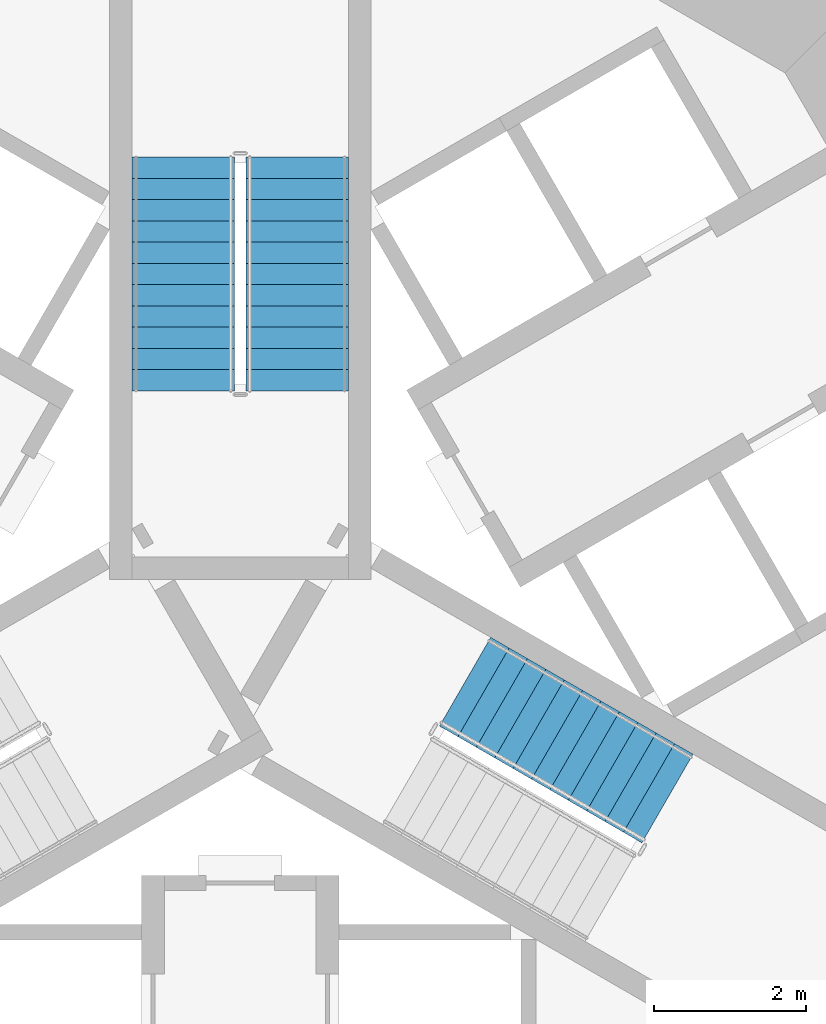
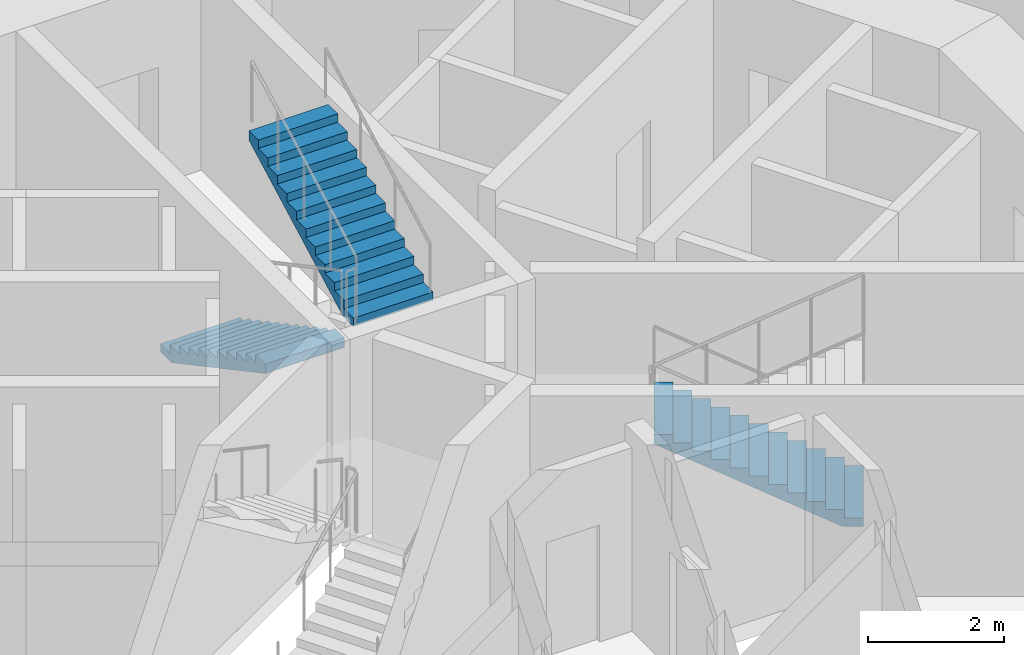
# One storey, part 11 of 19: 3 stair flights, 2 elements without a shape of their own.
"""IFC4 building model written with IfcOpenShell, lengths in metres."""

import ifcopenshell
import ifcopenshell.guid

model = None  # the IFC model being written
_history = None  # IfcOwnerHistory: only IFC2X3 demands one
_inside = {}  # id of a spatial element -> (the spatial element, [elements in it])
_under = {}  # id of a project, library or spatial element -> (it, [spatial elements below it])
_declared = {}  # id of a project -> (the project, [libraries it declares])
_typed = {}  # id of a type object -> (the type object, [elements of that type])
_made_of = {}  # id of a material, layer set ... -> (it, [elements and type objects made of it])


def new_model(schema):
    """Start an empty IFC model of exactly this schema.

    Asked for "IFC4X3", IfcOpenShell would pick the latest addendum, in which some entities
    have other attributes; the version numbers below select the first issue.
    IFC2X3 requires an IfcOwnerHistory on every rooted entity: one is made here for all.
    """
    global model, _history
    if schema == "IFC4X3":
        model = ifcopenshell.file(schema_version=(4, 3, 0, 0))
    else:
        model = ifcopenshell.file(schema=schema)
    _inside.clear()
    _under.clear()
    _declared.clear()
    _typed.clear()
    _made_of.clear()
    _history = None
    if model.schema == "IFC2X3":
        org = make("IfcOrganization", Name="unknown")
        user = make(
            "IfcPersonAndOrganization",
            ThePerson=make("IfcPerson", FamilyName="unknown"),
            TheOrganization=org,
        )
        app = make(
            "IfcApplication",
            ApplicationDeveloper=org,
            Version="unknown",
            ApplicationFullName="unknown",
            ApplicationIdentifier="unknown",
        )
        _history = make(
            "IfcOwnerHistory",
            OwningUser=user,
            OwningApplication=app,
            ChangeAction="ADDED",
            CreationDate=0,
        )
    return model


def make(cls, **values):
    """One entity of the class cls with the attributes given. An attribute that is None is left unset."""
    return model.create_entity(
        cls, **{name: value for name, value in values.items() if value is not None}
    )


def rooted(cls, **values):
    """An entity with a GlobalId (a new one), such as an element, a storey or a relation."""
    return make(cls, GlobalId=ifcopenshell.guid.new(), OwnerHistory=_history, **values)


def si_unit(unit_type, name, prefix=None):
    """IfcSIUnit, for example si_unit("LENGTHUNIT", "METRE", prefix="MILLI")."""
    return make("IfcSIUnit", UnitType=unit_type, Prefix=prefix, Name=name)


def assignment(units):
    """IfcUnitAssignment: the units of a project."""
    return None if units is None else make("IfcUnitAssignment", Units=units)


def point(xyz):
    """IfcCartesianPoint."""
    return None if xyz is None else make("IfcCartesianPoint", Coordinates=xyz)


def direction(xyz):
    """IfcDirection."""
    return None if xyz is None else make("IfcDirection", DirectionRatios=xyz)


def frame(location, z_axis=None, x_axis=None):
    """IfcAxis2Placement3D, a coordinate frame: its origin and axes. An axis left out is left unset."""
    return make(
        "IfcAxis2Placement3D",
        Location=point(location),
        Axis=direction(z_axis),
        RefDirection=direction(x_axis),
    )


def origin():
    """The frame at (0, 0, 0) with its axes left unset."""
    return frame((0.0, 0.0, 0.0))


def place(relative_to, where):
    """IfcLocalPlacement: puts the frame where relative to a parent placement (None: the world)."""
    return make(
        "IfcLocalPlacement", PlacementRelTo=relative_to, RelativePlacement=where
    )


def context(
    kind, dimensions, precision=None, world=None, true_north=None, identifier=None
):
    """IfcGeometricRepresentationContext, for example the 3D "Model" context."""
    return make(
        "IfcGeometricRepresentationContext",
        ContextIdentifier=identifier,
        ContextType=kind,
        CoordinateSpaceDimension=dimensions,
        Precision=precision,
        WorldCoordinateSystem=world,
        TrueNorth=true_north,
    )


def subcontext(parent, identifier, kind, view, scale=None):
    """IfcGeometricRepresentationSubContext, for example "Body" below "Model"."""
    return make(
        "IfcGeometricRepresentationSubContext",
        ContextIdentifier=identifier,
        ContextType=kind,
        ParentContext=parent,
        TargetScale=scale,
        TargetView=view,
    )


def project(units=None, contexts=None):
    """IfcProject with its units and contexts."""
    return rooted(
        "IfcProject",
        Name="project",
        RepresentationContexts=contexts,
        UnitsInContext=assignment(units),
    )


def spatial(cls, under=None, at=None, **own):
    """A site, building, storey or space (cls), placed at a placement, below another one or the project."""
    s = rooted(cls, ObjectPlacement=at, **own)
    if under is not None:
        _under.setdefault(under.id(), (under, []))[1].append(s)
    return s


def polyline(points):
    """IfcPolyline through the points."""
    return make("IfcPolyline", Points=[point(p) for p in points])


def outline(outer, holes=None, kind="AREA"):
    """IfcArbitraryClosedProfileDef: a profile drawn as a closed curve; with holes, ...WithVoids."""
    if holes is None:
        return make("IfcArbitraryClosedProfileDef", ProfileType=kind, OuterCurve=outer)
    return make(
        "IfcArbitraryProfileDefWithVoids",
        ProfileType=kind,
        OuterCurve=outer,
        InnerCurves=holes,
    )


def extrude(swept, where, along, depth):
    """IfcExtrudedAreaSolid: the profile swept, set in the frame where, extruded along a direction by depth."""
    return make(
        "IfcExtrudedAreaSolid",
        SweptArea=swept,
        Position=where,
        ExtrudedDirection=direction(along),
        Depth=depth,
    )


def shape(context_of_items, identifier, shape_type, items):
    """IfcShapeRepresentation: the items that make up one representation, for example the "Body"."""
    return make(
        "IfcShapeRepresentation",
        ContextOfItems=context_of_items,
        RepresentationIdentifier=identifier,
        RepresentationType=shape_type,
        Items=items,
    )


def material(Name=None, Category=None):
    """IfcMaterial."""
    return make("IfcMaterial", Name=Name, Category=Category)


def made_of(thing, what):
    """Note that an element or type object is made of a material, layer set ...; save() writes the relation."""
    if what is not None:
        _made_of.setdefault(what.id(), (what, []))[1].append(thing)
    return thing


def type_object(cls, material=None, **own):
    """A type object (cls), such as IfcWallType, which elements share."""
    return made_of(rooted(cls, **own), material)


def element(
    cls,
    number,
    at=None,
    inside=None,
    cuts=None,
    type_object=None,
    material=None,
    context=None,
    identifier="Body",
    shape_type=None,
    held_by="IfcProductDefinitionShape",
    body=None,
    shapes=None,
    **own,
):
    """One element of the class cls, such as IfcWall. Its Tag is "e" and its number.

    at: its placement. inside: the storey or other place that contains it. cuts: it is an
    opening in that element (IfcRelVoidsElement). A single representation is given by context,
    identifier, shape_type and body (its items); several are given by shapes. held_by: the class
    of the entity that holds the representations. save() writes the other relations.
    """
    e = rooted(cls, Tag="e%d" % number, ObjectPlacement=at, **own)
    if body is not None:
        shapes = [shape(context, identifier, shape_type, body)]
    if shapes is not None:
        e.Representation = make(held_by, Representations=shapes)
    if inside is not None:
        _inside.setdefault(inside.id(), (inside, []))[1].append(e)
    if cuts is not None:
        rooted(
            "IfcRelVoidsElement", RelatingBuildingElement=cuts, RelatedOpeningElement=e
        )
    if type_object is not None:
        _typed.setdefault(type_object.id(), (type_object, []))[1].append(e)
    return made_of(e, material)


def aggregate(whole, parts):
    """IfcRelAggregates: a whole, such as a stair, and the parts it consists of."""
    return rooted("IfcRelAggregates", RelatingObject=whole, RelatedObjects=parts)


def save(model, path):
    """Write the relations noted so far, then the file.

    IfcRelAggregates (storeys below a building ...), IfcRelContainedInSpatialStructure (elements
    in a storey), IfcRelDefinesByType, IfcRelAssociatesMaterial and IfcRelDeclares: one each for
    every whole, place, type object, material and project.
    """
    for whole, parts in _under.values():
        aggregate(whole, parts)
    for where, things in _inside.values():
        rooted(
            "IfcRelContainedInSpatialStructure",
            RelatedElements=things,
            RelatingStructure=where,
        )
    for kind, things in _typed.values():
        rooted("IfcRelDefinesByType", RelatedObjects=things, RelatingType=kind)
    for what, things in _made_of.values():
        rooted("IfcRelAssociatesMaterial", RelatedObjects=things, RelatingMaterial=what)
    for by, libraries in _declared.values():
        rooted("IfcRelDeclares", RelatingContext=by, RelatedDefinitions=libraries)
    model.write(path)


model = new_model("IFC4")

# Units and contexts
model_context = context("Model", 3, precision=1e-05, world=origin(), true_north=direction((0.0, 1.0)))
body_context = subcontext(model_context, "Body", "Model", "MODEL_VIEW")
ifc_project = project(units=[si_unit("LENGTHUNIT", "METRE"), si_unit("AREAUNIT", "SQUARE_METRE"), si_unit("VOLUMEUNIT", "CUBIC_METRE"), si_unit("PLANEANGLEUNIT", "RADIAN"), si_unit("MASSUNIT", "GRAM", prefix="KILO")], contexts=[model_context])

# Site, building, storey
site_placement = place(None, origin())
site = spatial("IfcSite", under=ifc_project, at=site_placement, CompositionType="ELEMENT")
building_placement = place(site_placement, origin())
building = spatial("IfcBuilding", under=site, at=building_placement, Name="Trine Commons Tower", CompositionType="ELEMENT")
storey_placement = place(building_placement, frame((0.0, 0.0, 61.199951171875)))
storey = spatial("IfcBuildingStorey", under=building, at=storey_placement, Name="L14", CompositionType="ELEMENT", Elevation=61.199951171875)

# Stair, stair flights
ifc_material = material(Name="Concrete C50/60", Category="concrete")
stair_type = type_object("IfcStairType", Name="Exit stair, dog-leg, 24 risers of 150 mm", PredefinedType="HALF_TURN_STAIR", material=ifc_material)
stair_1_placement = place(storey_placement, origin())
stair_1 = element("IfcStair", 1, at=stair_1_placement, inside=storey, type_object=stair_type, Name="L14 Exit stair ST1A", PredefinedType="HALF_TURN_STAIR")
stair_flight_type = type_object("IfcStairFlightType", Name="Stair flight, 1350 wide, 12 risers of 150 mm", PredefinedType="STRAIGHT", material=ifc_material)
stair_flight_1_placement = place(storey_placement, frame((79.25, 68.570556640625, 0.0), z_axis=(0.0, 0.0, 1.0), x_axis=(0.0, -1.0, 0.0)))
stair_flight_1 = element("IfcStairFlight", 2, at=stair_flight_1_placement, type_object=stair_flight_type, Name="ST1A flight 1", NumberOfRisers=12, NumberOfTreads=11, PredefinedType="STRAIGHT", RiserHeight=0.15, TreadLength=0.28, context=body_context, shape_type="SweptSolid", body=[
    extrude(outline(polyline([(0.0, 0.0), (0.0, 0.14990234375), (0.280029296875, 0.14990234375), (0.280029296875, 0.300048828125), (0.56005859375, 0.300048828125), (0.56005859375, 0.449951171875), (0.840087890625, 0.449951171875), (0.840087890625, 0.60009765625), (1.1201171875, 0.60009765625), (1.1201171875, 0.75), (1.39990234375, 0.75), (1.39990234375, 0.89990234375), (1.679931640625, 0.89990234375), (1.679931640625, 1.050048828125), (1.9599609375, 1.050048828125), (1.9599609375, 1.199951171875), (2.239990234375, 1.199951171875), (2.239990234375, 1.35009765625), (2.52001953125, 1.35009765625), (2.52001953125, 1.5), (2.800048828125, 1.5), (2.800048828125, 1.64990234375), (3.080078125, 1.64990234375), (3.080078125, 1.800048828125), (3.080078125, 1.47998046875), (0.3173828125, 0.0), (0.0, 0.0)])), frame((0.0, 0.675048828125, 0.0), z_axis=(0.0, -1.0, 0.0), x_axis=(1.0, 0.0, 0.0)), (0.0, 0.0, 1.0), 1.35009765625),
])
stair_flight_2_placement = place(storey_placement, frame((80.75, 65.490478515625, 1.800048828125), z_axis=(0.0, 0.0, 1.0), x_axis=(0.0, 1.0, 0.0)))
stair_flight_2 = element("IfcStairFlight", 3, at=stair_flight_2_placement, type_object=stair_flight_type, Name="ST1A flight 2", NumberOfRisers=12, NumberOfTreads=11, PredefinedType="STRAIGHT", RiserHeight=0.15, TreadLength=0.28, context=body_context, shape_type="SweptSolid", body=[
    extrude(outline(polyline([(0.0, 0.0), (0.0, 0.14990234375), (0.280029296875, 0.14990234375), (0.280029296875, 0.300048828125), (0.56005859375, 0.300048828125), (0.56005859375, 0.449951171875), (0.840087890625, 0.449951171875), (0.840087890625, 0.60009765625), (1.1201171875, 0.60009765625), (1.1201171875, 0.75), (1.39990234375, 0.75), (1.39990234375, 0.89990234375), (1.679931640625, 0.89990234375), (1.679931640625, 1.050048828125), (1.9599609375, 1.050048828125), (1.9599609375, 1.199951171875), (2.239990234375, 1.199951171875), (2.239990234375, 1.35009765625), (2.52001953125, 1.35009765625), (2.52001953125, 1.5), (2.800048828125, 1.5), (2.800048828125, 1.64990234375), (3.080078125, 1.64990234375), (3.080078125, 1.800048828125), (3.080078125, 1.47998046875), (0.3173828125, 0.0), (0.0, 0.0)])), frame((0.0, 0.675048828125, 0.0), z_axis=(0.0, -1.0, 0.0), x_axis=(1.0, 0.0, 0.0)), (0.0, 0.0, 1.0), 1.35009765625),
])
aggregate(stair_1, [stair_flight_1, stair_flight_2])

# Stair, stair flight
stair_2_placement = place(storey_placement, origin())
stair_2 = element("IfcStair", 4, at=stair_2_placement, inside=storey, type_object=stair_type, Name="L14 Exit stair ST3A", PredefinedType="HALF_TURN_STAIR")
stair_flight_3_placement = place(storey_placement, frame((85.63232421875, 60.1142578125, 0.0), z_axis=(0.0, 0.0, 1.0), x_axis=(-0.866025403784, 0.5, 0.0)))
stair_flight_3 = element("IfcStairFlight", 5, at=stair_flight_3_placement, type_object=stair_flight_type, Name="ST3A flight 1", NumberOfRisers=12, NumberOfTreads=11, PredefinedType="STRAIGHT", RiserHeight=0.15, TreadLength=0.28, context=body_context, shape_type="SweptSolid", body=[
    extrude(outline(polyline([(0.0, 0.0), (0.0, 0.14990234375), (0.280029296875, 0.14990234375), (0.280029296875, 0.300048828125), (0.56005859375, 0.300048828125), (0.56005859375, 0.449951171875), (0.840087890625, 0.449951171875), (0.840087890625, 0.60009765625), (1.1201171875, 0.60009765625), (1.1201171875, 0.75), (1.39990234375, 0.75), (1.39990234375, 0.89990234375), (1.679931640625, 0.89990234375), (1.679931640625, 1.050048828125), (1.9599609375, 1.050048828125), (1.9599609375, 1.199951171875), (2.239990234375, 1.199951171875), (2.239990234375, 1.35009765625), (2.52001953125, 1.35009765625), (2.52001953125, 1.5), (2.800048828125, 1.5), (2.800048828125, 1.64990234375), (3.080078125, 1.64990234375), (3.080078125, 1.800048828125), (3.080078125, 1.47998046875), (0.3173828125, 0.0), (0.0, 0.0)])), frame((0.0, 0.675048828125, 0.0), z_axis=(0.0, -1.0, 0.0), x_axis=(1.0, 0.0, 0.0)), (0.0, 0.0, 1.0), 1.35009765625),
])
aggregate(stair_2, [stair_flight_3])

save(model, "model.ifc")
